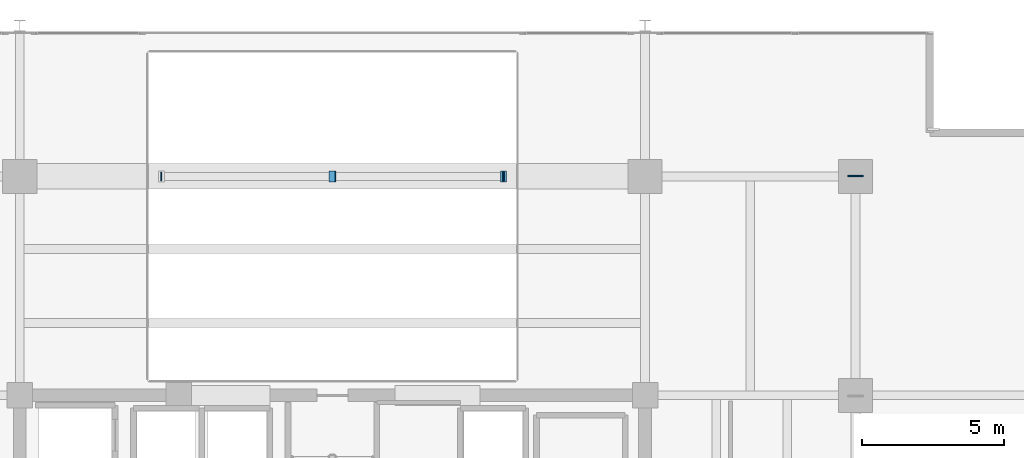
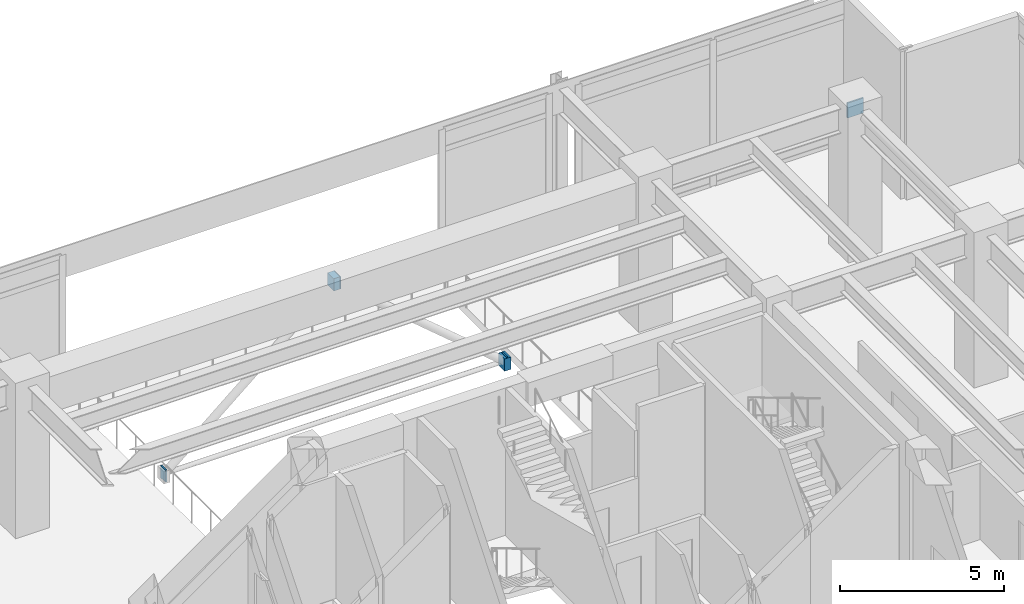
# One storey, part 20 of 25: 6 plates.
"""IFC4 building model written with IfcOpenShell, lengths in metres."""

from ifc_helpers import new_model, si_unit, direction, frame, origin, origin_2d, place, context, subcontext, project, spatial, rectangle, extrude, material, layer, layer_set, type_object, element, save


model = new_model("IFC4")

# Units and contexts
model_context = context("Model", 3, precision=1e-05, world=origin(), true_north=direction((0.0, 1.0)))
body_context = subcontext(model_context, "Body", "Model", "MODEL_VIEW")
ifc_project = project(units=[si_unit("LENGTHUNIT", "METRE"), si_unit("AREAUNIT", "SQUARE_METRE"), si_unit("VOLUMEUNIT", "CUBIC_METRE"), si_unit("PLANEANGLEUNIT", "RADIAN"), si_unit("MASSUNIT", "GRAM", prefix="KILO")], contexts=[model_context])

# Site, building, storey
site_placement = place(None, origin())
site = spatial("IfcSite", under=ifc_project, at=site_placement, CompositionType="ELEMENT")
building_placement = place(site_placement, origin())
building = spatial("IfcBuilding", under=site, at=building_placement, Name="Kovane Verandah Tower", CompositionType="ELEMENT")
storey_placement = place(building_placement, frame((0.0, 0.0, 295.199951171875)))
storey = spatial("IfcBuildingStorey", under=building, at=storey_placement, Name="L69", CompositionType="ELEMENT", Elevation=295.199951171875)

# Plates
ifc_material = material(Name="Steel S460", Category="steel")
ifc_layer = layer(ifc_material, 0.050048828125)
ifc_layer_set = layer_set([ifc_layer], Name="Steel S460")
plate_type = type_object("IfcPlateType", Name="PL-CAP-50", PredefinedType="SHEET", material=ifc_layer_set)
plate_placement = place(storey_placement, frame((58.39990234375, 44.219970703125, 4.93994140625), z_axis=(0.0, 0.0, 1.0), x_axis=(0.0, 1.0, 0.0)))
element("IfcPlate", 1, at=plate_placement, inside=storey, type_object=plate_type, Name="BT-CH-BE2-L69-P1", PredefinedType="SHEET", context=body_context, shape_type="SweptSolid", body=[
    extrude(rectangle(XDim=0.050048828125, YDim=0.56005859375, at=origin_2d()), origin(), (0.0, 0.0, 1.0), 0.56005859375),
])
for number, where, z_axis, x_axis, name in (
    (2, (40.015380859375, 44.199951171875, 4.98291015625), (0.0, 0.0, 1.0), (1.0, 0.0, 0.0), "WP-ST1A-L69-P1"),
    (3, (46.015380859375, 44.199951171875, -0.122802734375), (0.0, 0.0, 1.0), (-1.0, 0.0, 0.0), "WP-ST1B-L69-P0"),
    (4, (39.984619140625, 44.199951171875, 4.98291015625), (0.0, 0.0, 1.0), (-1.0, 0.0, 0.0), "WP-ST1B-L69-P1"),
):
    element("IfcPlate", number, at=place(storey_placement, frame(where, z_axis=z_axis, x_axis=x_axis)), inside=storey, type_object=plate_type, Name=name, PredefinedType="SHEET", context=body_context, shape_type="SweptSolid", body=[
        extrude(rectangle(XDim=0.219970703125, YDim=0.3798828125, at=origin_2d()), origin(), (0.0, 0.0, 1.0), 0.4599609375),
    ])
for number, where, z_axis, x_axis, name in (
    (5, (33.97998046875, 44.199951171875, -0.10986328125), (0.0, 0.0, 1.0), (1.0, 0.0, 0.0), "WP-TIE-N-L69-P0"),
    (6, (46.02001953125, 44.199951171875, -0.10986328125), (0.0, 0.0, 1.0), (1.0, 0.0, 0.0), "WP-TIE-N-L69-P1"),
):
    element("IfcPlate", number, at=place(storey_placement, frame(where, z_axis=z_axis, x_axis=x_axis)), inside=storey, type_object=plate_type, Name=name, PredefinedType="SHEET", context=body_context, shape_type="SweptSolid", body=[
        extrude(rectangle(XDim=0.050048828125, YDim=0.300048828125, at=origin_2d()), origin(), (0.0, 0.0, 1.0), 0.4599609375),
    ])

save(model, "model.ifc")
